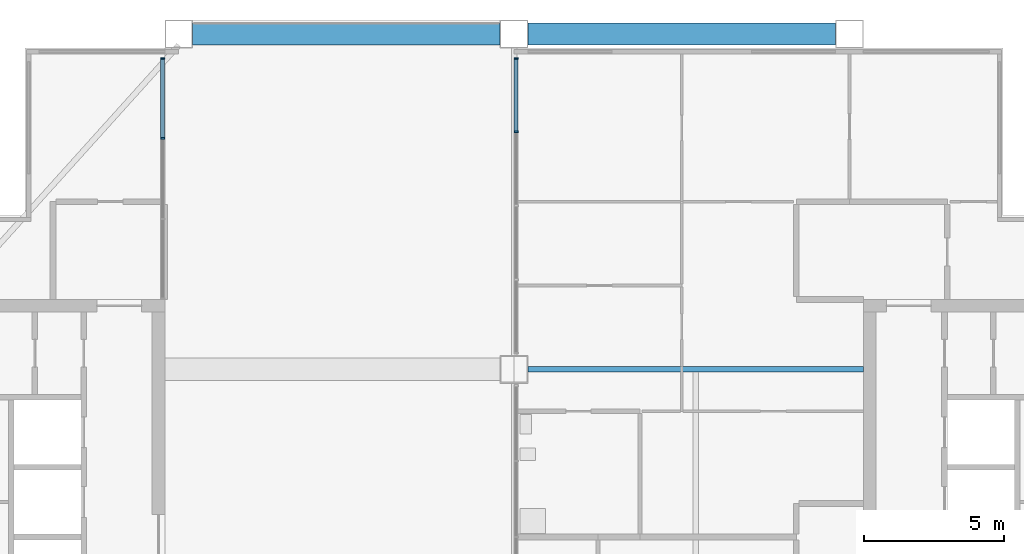
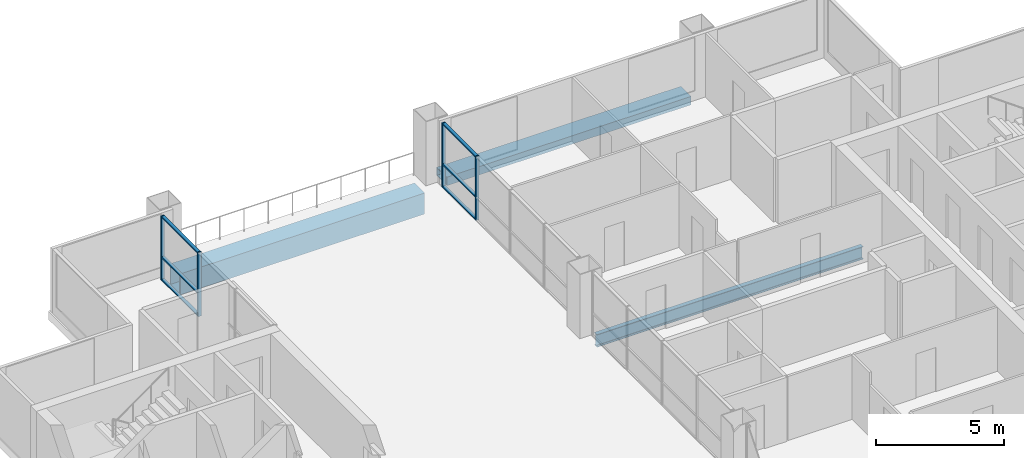
# One storey, part 5 of 12: 10 members, 3 beams, 2 elements without a shape of their own.
"""IFC4 building model written with IfcOpenShell, lengths in metres."""

from ifc_helpers import new_model, si_unit, direction, frame, origin, origin_2d, place, context, subcontext, project, spatial, rectangle, hollow_rectangle, i_section, extrude, material, material_profile, profile_set, type_object, element, aggregate, save


model = new_model("IFC4")

# Units and contexts
model_context = context("Model", 3, precision=1e-05, world=origin(), true_north=direction((0.0, 1.0)))
body_context = subcontext(model_context, "Body", "Model", "MODEL_VIEW")
ifc_project = project(units=[si_unit("LENGTHUNIT", "METRE"), si_unit("AREAUNIT", "SQUARE_METRE"), si_unit("VOLUMEUNIT", "CUBIC_METRE"), si_unit("PLANEANGLEUNIT", "RADIAN"), si_unit("MASSUNIT", "GRAM", prefix="KILO")], contexts=[model_context])

# Site, building, storey
site_placement = place(None, origin())
site = spatial("IfcSite", under=ifc_project, at=site_placement, CompositionType="ELEMENT")
building_placement = place(site_placement, origin())
building = spatial("IfcBuilding", under=site, at=building_placement, Name="Kitamizu Gate Tower and Museum", CompositionType="ELEMENT")
storey_placement = place(building_placement, frame((0.0, 0.0, 249.0)))
storey = spatial("IfcBuildingStorey", under=building, at=storey_placement, Name="L67", CompositionType="ELEMENT", Elevation=249.0)

# Beams
ifc_material_1 = material(Name="Steel SM490A bronze coated", Category="steel")
ifc_material_profile_1 = material_profile(ifc_material_1, hollow_rectangle(XDim=0.800048828125, YDim=0.39990234375, WallThickness=0.0400390625, at=origin_2d()), Name="BOX 800x400x40")
ifc_profile_set_1 = profile_set([ifc_material_profile_1], Name="Steel SM490A bronze coated")
beam_type_1 = type_object("IfcBeamType", Name="Exoskeleton spandrel beam SB1 BOX 800x400x40", PredefinedType="SPANDREL", material=ifc_profile_set_1)
beam_1_placement = place(storey_placement, frame((36.5, 48.0, -0.199951171875), z_axis=(1.0, 0.0, 0.0), x_axis=(0.0, 1.0, 0.0)))
element("IfcBeam", 1, at=beam_1_placement, inside=storey, type_object=beam_type_1, Name="Exoskeleton spandrel beam north 36 L67", PredefinedType="SPANDREL", context=body_context, shape_type="SweptSolid", body=[
    extrude(hollow_rectangle(XDim=0.800048828125, YDim=0.39990234375, WallThickness=0.0400390625, at=origin_2d()), origin(), (0.0, 0.0, 1.0), 11.0),
])
ifc_material_2 = material(Name="Steel SM490A", Category="steel")
ifc_material_profile_2 = material_profile(ifc_material_2, i_section(OverallWidth=0.199951171875, OverallDepth=0.60009765625, WebThickness=0.010986328125, FlangeThickness=0.01708984375, FilletRadius=0.02197265625, at=origin_2d()), Name="H-600x200x11x17")
ifc_profile_set_2 = profile_set([ifc_material_profile_2], Name="Steel SM490A")
beam_type_2 = type_object("IfcBeamType", Name="Floor girder FG1 H 600x200x11x17", PredefinedType="BEAM", material=ifc_profile_set_2)
beam_2_placement = place(storey_placement, frame((36.5, 36.0, -0.699951171875), z_axis=(1.0, 0.0, 0.0), x_axis=(0.0, 1.0, 0.0)))
element("IfcBeam", 2, at=beam_2_placement, inside=storey, type_object=beam_type_2, Name="Floor girder FG1 y36 L67", PredefinedType="BEAM", context=body_context, shape_type="SweptSolid", body=[
    extrude(i_section(OverallWidth=0.199951171875, OverallDepth=0.60009765625, WebThickness=0.010986328125, FlangeThickness=0.01708984375, FilletRadius=0.02197265625, at=origin_2d()), origin(), (0.0, 0.0, 1.0), 12.0),
])

# Curtain wall, members
ifc_material_3 = material(Name="Bronze anodised aluminium frame, tinted triple glazing", Category="aluminium")
curtain_wall_type = type_object("IfcCurtainWallType", Name="CURTAIN WALL TYPE C SKY AMENITY", PredefinedType="NOTDEFINED", material=ifc_material_3)
curtain_wall_1_placement = place(storey_placement, origin())
curtain_wall_1 = element("IfcCurtainWall", 3, at=curtain_wall_1_placement, inside=storey, type_object=curtain_wall_type, Name="Curtain wall CW-C portal W L67", PredefinedType="NOTDEFINED")
ifc_material_4 = material(Name="Bronze anodised aluminium", Category="aluminium")
ifc_material_profile_3 = material_profile(ifc_material_4, rectangle(XDim=0.06005859375, YDim=0.14990234375, at=origin_2d()), Name="AL 60X150")
ifc_profile_set_3 = profile_set([ifc_material_profile_3], Name="Bronze anodised aluminium")
member_type_1 = type_object("IfcMemberType", Name="MULLION 60 X 150 TYPE C", PredefinedType="MULLION", material=ifc_profile_set_3)
member_1_placement = place(storey_placement, frame((23.425048828125, 44.2666015625, 0.0), z_axis=(0.0, 0.0, 1.0), x_axis=(0.0, 1.0, 0.0)))
member_1 = element("IfcMember", 4, at=member_1_placement, type_object=member_type_1, Name="CW-C mullion 3", PredefinedType="MULLION", context=body_context, shape_type="SweptSolid", body=[
    extrude(rectangle(XDim=0.06005859375, YDim=0.14990234375, at=origin_2d()), origin(), (0.0, 0.0, 1.0), 3.050048828125),
])
member_2_placement = place(storey_placement, frame((23.425048828125, 47.1201171875, 0.0), z_axis=(0.0, 0.0, 1.0), x_axis=(0.0, 1.0, 0.0)))
member_2 = element("IfcMember", 5, at=member_2_placement, type_object=member_type_1, Name="CW-C mullion 4", PredefinedType="MULLION", context=body_context, shape_type="SweptSolid", body=[
    extrude(rectangle(XDim=0.06005859375, YDim=0.14990234375, at=origin_2d()), origin(), (0.0, 0.0, 1.0), 3.050048828125),
])

curtain_wall_2_placement = place(storey_placement, origin())
curtain_wall_2 = element("IfcCurtainWall", 6, at=curtain_wall_2_placement, inside=storey, type_object=curtain_wall_type, Name="Curtain wall CW-C portal E L67", PredefinedType="NOTDEFINED")
member_3_placement = place(storey_placement, frame((36.074951171875, 44.501220703125, 0.0), z_axis=(0.0, 0.0, 1.0), x_axis=(0.0, 1.0, 0.0)))
member_3 = element("IfcMember", 7, at=member_3_placement, type_object=member_type_1, Name="CW-C mullion 4", PredefinedType="MULLION", context=body_context, shape_type="SweptSolid", body=[
    extrude(rectangle(XDim=0.06005859375, YDim=0.14990234375, at=origin_2d()), origin(), (0.0, 0.0, 1.0), 3.050048828125),
])
member_4_placement = place(storey_placement, frame((36.074951171875, 47.1201171875, 0.0), z_axis=(0.0, 0.0, 1.0), x_axis=(0.0, 1.0, 0.0)))
member_4 = element("IfcMember", 8, at=member_4_placement, type_object=member_type_1, Name="CW-C mullion 5", PredefinedType="MULLION", context=body_context, shape_type="SweptSolid", body=[
    extrude(rectangle(XDim=0.06005859375, YDim=0.14990234375, at=origin_2d()), origin(), (0.0, 0.0, 1.0), 3.050048828125),
])

# Beam
ifc_material_5 = material(Name="Steel SM490A bronze coated", Category="steel")
ifc_material_profile_4 = material_profile(ifc_material_5, hollow_rectangle(XDim=0.800048828125, YDim=1.0, WallThickness=0.050048828125, at=origin_2d()), Name="BOX 800x1000x50")
ifc_profile_set_4 = profile_set([ifc_material_profile_4], Name="Steel SM490A bronze coated")
beam_type_3 = type_object("IfcBeamType", Name="Portal frame beam PF1 BOX 800x1000x50", PredefinedType="BEAM", material=ifc_profile_set_4)
beam_3_placement = place(storey_placement, frame((24.5, 48.0, -0.89990234375), z_axis=(1.0, 0.0, 0.0), x_axis=(0.0, 1.0, 0.0)))
element("IfcBeam", 9, at=beam_3_placement, inside=storey, type_object=beam_type_3, Name="Portal frame beam N L67", PredefinedType="BEAM", context=body_context, shape_type="SweptSolid", body=[
    extrude(hollow_rectangle(XDim=0.800048828125, YDim=1.0, WallThickness=0.050048828125, at=origin_2d()), origin(), (0.0, 0.0, 1.0), 11.0),
])

# Member
ifc_material_6 = material(Name="Bronze anodised aluminium", Category="aluminium")
ifc_material_profile_5 = material_profile(ifc_material_6, rectangle(XDim=0.139892578125, YDim=0.06005859375, at=origin_2d()), Name="AL 60X140")
ifc_profile_set_5 = profile_set([ifc_material_profile_5], Name="Bronze anodised aluminium")
member_type_2 = type_object("IfcMemberType", Name="TRANSOM 60 X 140 TYPE C", PredefinedType="USERDEFINED", material=ifc_profile_set_5)
member_5_placement = place(storey_placement, frame((23.425048828125, 44.296630859375, 0.030029296875), z_axis=(0.0, 1.0, 0.0), x_axis=(-1.0, 0.0, 0.0)))
member_5 = element("IfcMember", 10, at=member_5_placement, type_object=member_type_2, Name="CW-C transom 3.1", ObjectType="TRANSOM", PredefinedType="USERDEFINED", context=body_context, shape_type="SweptSolid", body=[
    extrude(rectangle(XDim=0.139892578125, YDim=0.06005859375, at=origin_2d()), origin(), (0.0, 0.0, 1.0), 2.79345703125),
])

member_6_placement = place(storey_placement, frame((23.425048828125, 44.296630859375, 1.10009765625), z_axis=(0.0, 1.0, 0.0), x_axis=(-1.0, 0.0, 0.0)))
member_6 = element("IfcMember", 11, at=member_6_placement, type_object=member_type_2, Name="CW-C transom 3.2", ObjectType="TRANSOM", PredefinedType="USERDEFINED", context=body_context, shape_type="SweptSolid", body=[
    extrude(rectangle(XDim=0.139892578125, YDim=0.06005859375, at=origin_2d()), origin(), (0.0, 0.0, 1.0), 2.79345703125),
])

member_7_placement = place(storey_placement, frame((23.425048828125, 44.296630859375, 3.02001953125), z_axis=(0.0, 1.0, 0.0), x_axis=(-1.0, 0.0, 0.0)))
member_7 = element("IfcMember", 12, at=member_7_placement, type_object=member_type_2, Name="CW-C transom 3.3", ObjectType="TRANSOM", PredefinedType="USERDEFINED", context=body_context, shape_type="SweptSolid", body=[
    extrude(rectangle(XDim=0.139892578125, YDim=0.06005859375, at=origin_2d()), origin(), (0.0, 0.0, 1.0), 2.79345703125),
])

aggregate(curtain_wall_1, [member_1, member_2, member_5, member_6, member_7])

member_8_placement = place(storey_placement, frame((36.074951171875, 44.53125, 0.030029296875), z_axis=(0.0, 1.0, 0.0), x_axis=(-1.0, 0.0, 0.0)))
member_8 = element("IfcMember", 13, at=member_8_placement, type_object=member_type_2, Name="CW-C transom 4.1", ObjectType="TRANSOM", PredefinedType="USERDEFINED", context=body_context, shape_type="SweptSolid", body=[
    extrude(rectangle(XDim=0.139892578125, YDim=0.06005859375, at=origin_2d()), origin(), (0.0, 0.0, 1.0), 2.558837890625),
])

member_9_placement = place(storey_placement, frame((36.074951171875, 44.53125, 1.10009765625), z_axis=(0.0, 1.0, 0.0), x_axis=(-1.0, 0.0, 0.0)))
member_9 = element("IfcMember", 14, at=member_9_placement, type_object=member_type_2, Name="CW-C transom 4.2", ObjectType="TRANSOM", PredefinedType="USERDEFINED", context=body_context, shape_type="SweptSolid", body=[
    extrude(rectangle(XDim=0.139892578125, YDim=0.06005859375, at=origin_2d()), origin(), (0.0, 0.0, 1.0), 2.558837890625),
])

member_10_placement = place(storey_placement, frame((36.074951171875, 44.53125, 3.02001953125), z_axis=(0.0, 1.0, 0.0), x_axis=(-1.0, 0.0, 0.0)))
member_10 = element("IfcMember", 15, at=member_10_placement, type_object=member_type_2, Name="CW-C transom 4.3", ObjectType="TRANSOM", PredefinedType="USERDEFINED", context=body_context, shape_type="SweptSolid", body=[
    extrude(rectangle(XDim=0.139892578125, YDim=0.06005859375, at=origin_2d()), origin(), (0.0, 0.0, 1.0), 2.558837890625),
])

aggregate(curtain_wall_2, [member_3, member_4, member_8, member_9, member_10])

save(model, "model.ifc")
